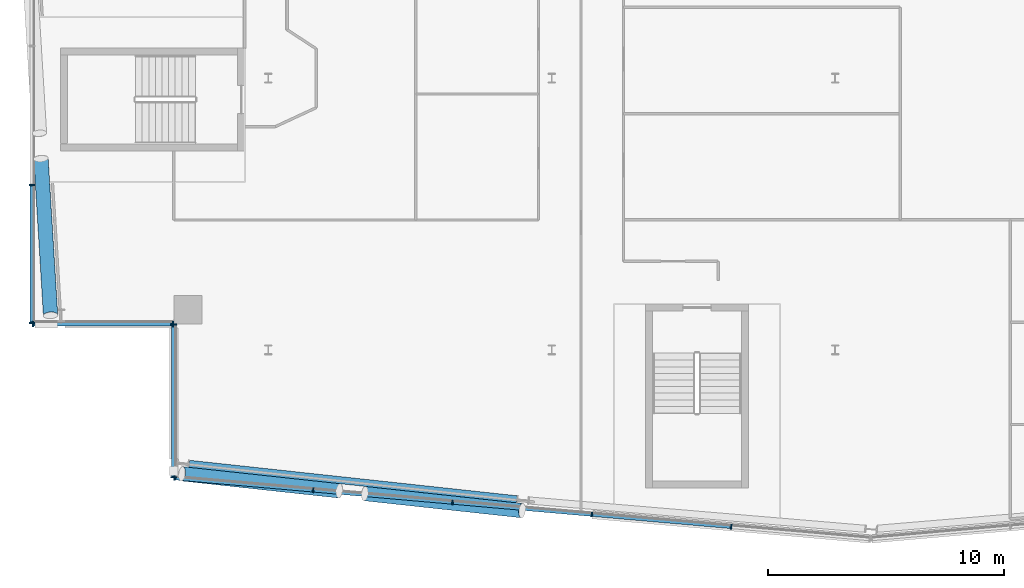
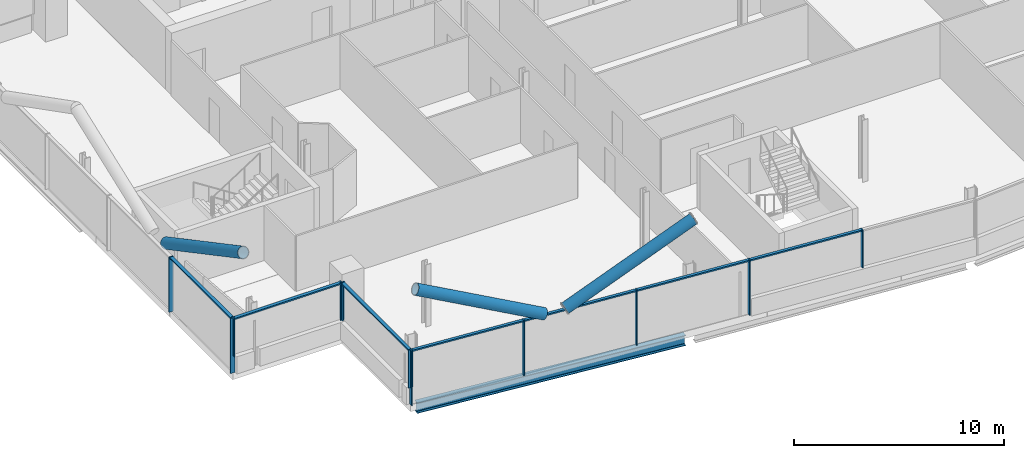
# One storey, part 5 of 27: 21 members, 1 beam, 4 elements without a shape of their own.
"""IFC4 building model written with IfcOpenShell, lengths in metres."""

import ifcopenshell
import ifcopenshell.guid

model = None  # the IFC model being written
_history = None  # IfcOwnerHistory: only IFC2X3 demands one
_inside = {}  # id of a spatial element -> (the spatial element, [elements in it])
_under = {}  # id of a project, library or spatial element -> (it, [spatial elements below it])
_declared = {}  # id of a project -> (the project, [libraries it declares])
_typed = {}  # id of a type object -> (the type object, [elements of that type])
_made_of = {}  # id of a material, layer set ... -> (it, [elements and type objects made of it])


def new_model(schema):
    """Start an empty IFC model of exactly this schema.

    Asked for "IFC4X3", IfcOpenShell would pick the latest addendum, in which some entities
    have other attributes; the version numbers below select the first issue.
    IFC2X3 requires an IfcOwnerHistory on every rooted entity: one is made here for all.
    """
    global model, _history
    if schema == "IFC4X3":
        model = ifcopenshell.file(schema_version=(4, 3, 0, 0))
    else:
        model = ifcopenshell.file(schema=schema)
    _inside.clear()
    _under.clear()
    _declared.clear()
    _typed.clear()
    _made_of.clear()
    _history = None
    if model.schema == "IFC2X3":
        org = make("IfcOrganization", Name="unknown")
        user = make(
            "IfcPersonAndOrganization",
            ThePerson=make("IfcPerson", FamilyName="unknown"),
            TheOrganization=org,
        )
        app = make(
            "IfcApplication",
            ApplicationDeveloper=org,
            Version="unknown",
            ApplicationFullName="unknown",
            ApplicationIdentifier="unknown",
        )
        _history = make(
            "IfcOwnerHistory",
            OwningUser=user,
            OwningApplication=app,
            ChangeAction="ADDED",
            CreationDate=0,
        )
    return model


def make(cls, **values):
    """One entity of the class cls with the attributes given. An attribute that is None is left unset."""
    return model.create_entity(
        cls, **{name: value for name, value in values.items() if value is not None}
    )


def rooted(cls, **values):
    """An entity with a GlobalId (a new one), such as an element, a storey or a relation."""
    return make(cls, GlobalId=ifcopenshell.guid.new(), OwnerHistory=_history, **values)


def si_unit(unit_type, name, prefix=None):
    """IfcSIUnit, for example si_unit("LENGTHUNIT", "METRE", prefix="MILLI")."""
    return make("IfcSIUnit", UnitType=unit_type, Prefix=prefix, Name=name)


def assignment(units):
    """IfcUnitAssignment: the units of a project."""
    return None if units is None else make("IfcUnitAssignment", Units=units)


def point(xyz):
    """IfcCartesianPoint."""
    return None if xyz is None else make("IfcCartesianPoint", Coordinates=xyz)


def direction(xyz):
    """IfcDirection."""
    return None if xyz is None else make("IfcDirection", DirectionRatios=xyz)


def frame(location, z_axis=None, x_axis=None):
    """IfcAxis2Placement3D, a coordinate frame: its origin and axes. An axis left out is left unset."""
    return make(
        "IfcAxis2Placement3D",
        Location=point(location),
        Axis=direction(z_axis),
        RefDirection=direction(x_axis),
    )


def frame_2d(location, x_axis=None):
    """IfcAxis2Placement2D, a coordinate frame in the plane: its origin and x axis."""
    return make(
        "IfcAxis2Placement2D", Location=point(location), RefDirection=direction(x_axis)
    )


def origin():
    """The frame at (0, 0, 0) with its axes left unset."""
    return frame((0.0, 0.0, 0.0))


def origin_2d():
    """The frame at (0, 0) in the plane with its x axis left unset."""
    return frame_2d((0.0, 0.0))


def place(relative_to, where):
    """IfcLocalPlacement: puts the frame where relative to a parent placement (None: the world)."""
    return make(
        "IfcLocalPlacement", PlacementRelTo=relative_to, RelativePlacement=where
    )


def context(
    kind, dimensions, precision=None, world=None, true_north=None, identifier=None
):
    """IfcGeometricRepresentationContext, for example the 3D "Model" context."""
    return make(
        "IfcGeometricRepresentationContext",
        ContextIdentifier=identifier,
        ContextType=kind,
        CoordinateSpaceDimension=dimensions,
        Precision=precision,
        WorldCoordinateSystem=world,
        TrueNorth=true_north,
    )


def subcontext(parent, identifier, kind, view, scale=None):
    """IfcGeometricRepresentationSubContext, for example "Body" below "Model"."""
    return make(
        "IfcGeometricRepresentationSubContext",
        ContextIdentifier=identifier,
        ContextType=kind,
        ParentContext=parent,
        TargetScale=scale,
        TargetView=view,
    )


def project(units=None, contexts=None):
    """IfcProject with its units and contexts."""
    return rooted(
        "IfcProject",
        Name="project",
        RepresentationContexts=contexts,
        UnitsInContext=assignment(units),
    )


def spatial(cls, under=None, at=None, **own):
    """A site, building, storey or space (cls), placed at a placement, below another one or the project."""
    s = rooted(cls, ObjectPlacement=at, **own)
    if under is not None:
        _under.setdefault(under.id(), (under, []))[1].append(s)
    return s


def profile(cls, at=None, kind="AREA", **sizes):
    """A parametric profile (cls). Its sizes go by their IFC names, for example OverallWidth=200.0."""
    return make(cls, ProfileType=kind, Position=at, **sizes)


def rectangle(**sizes):
    """IfcRectangleProfileDef."""
    return profile("IfcRectangleProfileDef", **sizes)


def hollow_circle(**sizes):
    """IfcCircleHollowProfileDef."""
    return profile("IfcCircleHollowProfileDef", **sizes)


def i_section(**sizes):
    """IfcIShapeProfileDef."""
    return profile("IfcIShapeProfileDef", **sizes)


def extrude(swept, where, along, depth):
    """IfcExtrudedAreaSolid: the profile swept, set in the frame where, extruded along a direction by depth."""
    return make(
        "IfcExtrudedAreaSolid",
        SweptArea=swept,
        Position=where,
        ExtrudedDirection=direction(along),
        Depth=depth,
    )


def shape(context_of_items, identifier, shape_type, items):
    """IfcShapeRepresentation: the items that make up one representation, for example the "Body"."""
    return make(
        "IfcShapeRepresentation",
        ContextOfItems=context_of_items,
        RepresentationIdentifier=identifier,
        RepresentationType=shape_type,
        Items=items,
    )


def material(Name=None, Category=None):
    """IfcMaterial."""
    return make("IfcMaterial", Name=Name, Category=Category)


def material_profile(
    of_material, cross_section, Name=None, Category=None, Priority=None
):
    """IfcMaterialProfile: a cross section and its material."""
    return make(
        "IfcMaterialProfile",
        Name=Name,
        Material=of_material,
        Profile=cross_section,
        Priority=Priority,
        Category=Category,
    )


def profile_set(profiles, Name=None, composite=None):
    """IfcMaterialProfileSet."""
    return make(
        "IfcMaterialProfileSet",
        Name=Name,
        MaterialProfiles=profiles,
        CompositeProfile=composite,
    )


def made_of(thing, what):
    """Note that an element or type object is made of a material, layer set ...; save() writes the relation."""
    if what is not None:
        _made_of.setdefault(what.id(), (what, []))[1].append(thing)
    return thing


def type_object(cls, material=None, **own):
    """A type object (cls), such as IfcWallType, which elements share."""
    return made_of(rooted(cls, **own), material)


def element(
    cls,
    number,
    at=None,
    inside=None,
    cuts=None,
    type_object=None,
    material=None,
    context=None,
    identifier="Body",
    shape_type=None,
    held_by="IfcProductDefinitionShape",
    body=None,
    shapes=None,
    **own,
):
    """One element of the class cls, such as IfcWall. Its Tag is "e" and its number.

    at: its placement. inside: the storey or other place that contains it. cuts: it is an
    opening in that element (IfcRelVoidsElement). A single representation is given by context,
    identifier, shape_type and body (its items); several are given by shapes. held_by: the class
    of the entity that holds the representations. save() writes the other relations.
    """
    e = rooted(cls, Tag="e%d" % number, ObjectPlacement=at, **own)
    if body is not None:
        shapes = [shape(context, identifier, shape_type, body)]
    if shapes is not None:
        e.Representation = make(held_by, Representations=shapes)
    if inside is not None:
        _inside.setdefault(inside.id(), (inside, []))[1].append(e)
    if cuts is not None:
        rooted(
            "IfcRelVoidsElement", RelatingBuildingElement=cuts, RelatedOpeningElement=e
        )
    if type_object is not None:
        _typed.setdefault(type_object.id(), (type_object, []))[1].append(e)
    return made_of(e, material)


def aggregate(whole, parts):
    """IfcRelAggregates: a whole, such as a stair, and the parts it consists of."""
    return rooted("IfcRelAggregates", RelatingObject=whole, RelatedObjects=parts)


def save(model, path):
    """Write the relations noted so far, then the file.

    IfcRelAggregates (storeys below a building ...), IfcRelContainedInSpatialStructure (elements
    in a storey), IfcRelDefinesByType, IfcRelAssociatesMaterial and IfcRelDeclares: one each for
    every whole, place, type object, material and project.
    """
    for whole, parts in _under.values():
        aggregate(whole, parts)
    for where, things in _inside.values():
        rooted(
            "IfcRelContainedInSpatialStructure",
            RelatedElements=things,
            RelatingStructure=where,
        )
    for kind, things in _typed.values():
        rooted("IfcRelDefinesByType", RelatedObjects=things, RelatingType=kind)
    for what, things in _made_of.values():
        rooted("IfcRelAssociatesMaterial", RelatedObjects=things, RelatingMaterial=what)
    for by, libraries in _declared.values():
        rooted("IfcRelDeclares", RelatingContext=by, RelatedDefinitions=libraries)
    model.write(path)


model = new_model("IFC4")

# Units and contexts
model_context = context("Model", 3, precision=1e-05, world=origin(), true_north=direction((0.0, 1.0)))
body_context = subcontext(model_context, "Body", "Model", "MODEL_VIEW")
ifc_project = project(units=[si_unit("LENGTHUNIT", "METRE"), si_unit("AREAUNIT", "SQUARE_METRE"), si_unit("VOLUMEUNIT", "CUBIC_METRE"), si_unit("PLANEANGLEUNIT", "RADIAN"), si_unit("MASSUNIT", "GRAM", prefix="KILO")], contexts=[model_context])

# Site, building, storey
site_placement = place(None, origin())
site = spatial("IfcSite", under=ifc_project, at=site_placement, CompositionType="ELEMENT")
building_placement = place(site_placement, origin())
building = spatial("IfcBuilding", under=site, at=building_placement, Name="Wharfspan Tower", CompositionType="ELEMENT")
storey_placement = place(building_placement, frame((0.0, 0.0, 221.5)))
storey = spatial("IfcBuildingStorey", under=building, at=storey_placement, Name="L55", CompositionType="ELEMENT", Elevation=221.5)

# Beam
ifc_material_1 = material(Name="Steel S355J2", Category="steel")
ifc_material_profile_1 = material_profile(ifc_material_1, i_section(OverallWidth=0.300049, OverallDepth=0.600098, WebThickness=0.015381, FlangeThickness=0.030029, FilletRadius=0.0271, at=origin_2d()))
ifc_profile_set_1 = profile_set([ifc_material_profile_1], Name="Steel S355J2")
beam_type = type_object("IfcBeamType", Name="Edge beam HEB 600", PredefinedType="SPANDREL", material=ifc_profile_set_1)
beam_placement = place(storey_placement, frame((20.648682, 6.674805, -0.699951), z_axis=(0.99418, -0.107732, 0.0), x_axis=(0.107732, 0.99418, 0.0)))
element("IfcBeam", 1, at=beam_placement, inside=storey, type_object=beam_type, Name="Edge beam S1 L55 PS1.1 to PS1.2", PredefinedType="SPANDREL", context=body_context, shape_type="SweptSolid", body=[
    extrude(i_section(OverallWidth=0.300049, OverallDepth=0.600098, WebThickness=0.015381, FlangeThickness=0.030029, FilletRadius=0.0271, at=origin_2d()), origin(), (0.0, 0.0, 1.0), 13.95752),
])

# Curtain wall, members
ifc_material_2 = material(Name="Aluminium 6063-T6", Category="aluminium")
curtain_wall_type_1 = type_object("IfcCurtainWallType", Name="CURTAIN WALL FACETED FRONT", PredefinedType="NOTDEFINED", material=ifc_material_2)
curtain_wall_1_placement = place(storey_placement, origin())
curtain_wall_1 = element("IfcCurtainWall", 2, at=curtain_wall_1_placement, inside=storey, type_object=curtain_wall_type_1, Name="Curtain wall S1", PredefinedType="NOTDEFINED")
ifc_material_profile_2 = material_profile(ifc_material_2, rectangle(XDim=0.199951, YDim=0.060059, at=origin_2d()))
ifc_profile_set_2 = profile_set([ifc_material_profile_2], Name="Aluminium 6063-T6")
member_type_1 = type_object("IfcMemberType", Name="MULLION FACETED FRONT 60x200", PredefinedType="MULLION", material=ifc_profile_set_2)
member_1_placement = place(storey_placement, frame((20.029785, 6.07251, 0.0), z_axis=(0.0, 0.0, 1.0), x_axis=(0.087156, 0.996197, 0.0)))
member_1 = element("IfcMember", 3, at=member_1_placement, type_object=member_type_1, Name="Curtain wall S1 mullion 1", PredefinedType="MULLION", context=body_context, shape_type="SweptSolid", body=[
    extrude(rectangle(XDim=0.199951, YDim=0.060059, at=origin_2d()), origin(), (0.0, 0.0, 1.0), 3.199951),
])
member_2_placement = place(storey_placement, frame((25.899902, 5.558838, 0.0), z_axis=(0.0, 0.0, 1.0), x_axis=(0.087156, 0.996197, 0.0)))
member_2 = element("IfcMember", 4, at=member_2_placement, type_object=member_type_1, Name="Curtain wall S1 mullion 2", PredefinedType="MULLION", context=body_context, shape_type="SweptSolid", body=[
    extrude(rectangle(XDim=0.199951, YDim=0.060059, at=origin_2d()), origin(), (0.0, 0.0, 1.0), 3.199951),
])
member_3_placement = place(storey_placement, frame((31.800049, 5.042725, 0.0), z_axis=(0.0, 0.0, 1.0), x_axis=(0.087156, 0.996197, 0.0)))
member_3 = element("IfcMember", 5, at=member_3_placement, type_object=member_type_1, Name="Curtain wall S1 mullion 3", PredefinedType="MULLION", context=body_context, shape_type="SweptSolid", body=[
    extrude(rectangle(XDim=0.199951, YDim=0.060059, at=origin_2d()), origin(), (0.0, 0.0, 1.0), 3.199951),
])
member_4_placement = place(storey_placement, frame((37.699951, 4.526611, 0.0), z_axis=(0.0, 0.0, 1.0), x_axis=(0.087156, 0.996197, 0.0)))
member_4 = element("IfcMember", 6, at=member_4_placement, type_object=member_type_1, Name="Curtain wall S1 mullion 4", PredefinedType="MULLION", context=body_context, shape_type="SweptSolid", body=[
    extrude(rectangle(XDim=0.199951, YDim=0.060059, at=origin_2d()), origin(), (0.0, 0.0, 1.0), 3.199951),
])
member_5_placement = place(storey_placement, frame((43.600098, 4.010254, 1.0), z_axis=(0.0, 0.0, 1.0), x_axis=(0.087156, 0.996197, 0.0)))
member_5 = element("IfcMember", 7, at=member_5_placement, type_object=member_type_1, Name="Curtain wall S1 mullion 5", PredefinedType="MULLION", context=body_context, shape_type="SweptSolid", body=[
    extrude(rectangle(XDim=0.199951, YDim=0.060059, at=origin_2d()), origin(), (0.0, 0.0, 1.0), 2.199951),
])

curtain_wall_type_2 = type_object("IfcCurtainWallType", Name="CURTAIN WALL PROW AND END", PredefinedType="NOTDEFINED", material=ifc_material_2)
curtain_wall_2_placement = place(storey_placement, origin())
curtain_wall_2 = element("IfcCurtainWall", 8, at=curtain_wall_2_placement, inside=storey, type_object=curtain_wall_type_2, Name="Curtain wall W", PredefinedType="NOTDEFINED")
ifc_material_profile_3 = material_profile(ifc_material_2, rectangle(XDim=0.23999, YDim=0.060059, at=origin_2d()))
ifc_profile_set_3 = profile_set([ifc_material_profile_3], Name="Aluminium 6063-T6")
member_type_2 = type_object("IfcMemberType", Name="MULLION PROW AND END 60x240", PredefinedType="MULLION", material=ifc_profile_set_3)
member_6_placement = place(storey_placement, frame((14.0, 18.47998, 0.0), z_axis=(0.0, 0.0, 1.0), x_axis=(1.0, 0.0, 0.0)))
member_6 = element("IfcMember", 9, at=member_6_placement, type_object=member_type_2, Name="Curtain wall W mullion 5", PredefinedType="MULLION", context=body_context, shape_type="SweptSolid", body=[
    extrude(rectangle(XDim=0.23999, YDim=0.060059, at=origin_2d()), origin(), (0.0, 0.0, 1.0), 3.199951),
])
member_7_placement = place(storey_placement, frame((14.0, 12.629883, 0.0), z_axis=(0.0, 0.0, 1.0), x_axis=(1.0, 0.0, 0.0)))
member_7 = element("IfcMember", 10, at=member_7_placement, type_object=member_type_2, Name="Curtain wall W mullion 6", PredefinedType="MULLION", context=body_context, shape_type="SweptSolid", body=[
    extrude(rectangle(XDim=0.23999, YDim=0.060059, at=origin_2d()), origin(), (0.0, 0.0, 1.0), 3.199951),
])

curtain_wall_3_placement = place(storey_placement, origin())
curtain_wall_3 = element("IfcCurtainWall", 11, at=curtain_wall_3_placement, inside=storey, type_object=curtain_wall_type_2, Name="Curtain wall NFW-H", PredefinedType="NOTDEFINED")
member_8_placement = place(storey_placement, frame((14.030029, 12.600098, 1.0), z_axis=(0.0, 0.0, 1.0), x_axis=(0.0, 1.0, 0.0)))
member_8 = element("IfcMember", 12, at=member_8_placement, type_object=member_type_2, Name="Curtain wall NFW-H mullion 1", PredefinedType="MULLION", context=body_context, shape_type="SweptSolid", body=[
    extrude(rectangle(XDim=0.23999, YDim=0.060059, at=origin_2d()), origin(), (0.0, 0.0, 1.0), 2.199951),
])
member_9_placement = place(storey_placement, frame((19.969971, 12.600098, 1.0), z_axis=(0.0, 0.0, 1.0), x_axis=(0.0, 1.0, 0.0)))
member_9 = element("IfcMember", 13, at=member_9_placement, type_object=member_type_2, Name="Curtain wall NFW-H mullion 2", PredefinedType="MULLION", context=body_context, shape_type="SweptSolid", body=[
    extrude(rectangle(XDim=0.23999, YDim=0.060059, at=origin_2d()), origin(), (0.0, 0.0, 1.0), 2.199951),
])

curtain_wall_4_placement = place(storey_placement, origin())
curtain_wall_4 = element("IfcCurtainWall", 14, at=curtain_wall_4_placement, inside=storey, type_object=curtain_wall_type_2, Name="Curtain wall NFW-V", PredefinedType="NOTDEFINED")
member_10_placement = place(storey_placement, frame((20.0, 12.570068, 1.0), z_axis=(0.0, 0.0, 1.0), x_axis=(1.0, 0.0, 0.0)))
member_10 = element("IfcMember", 15, at=member_10_placement, type_object=member_type_2, Name="Curtain wall NFW-V mullion 1", PredefinedType="MULLION", context=body_context, shape_type="SweptSolid", body=[
    extrude(rectangle(XDim=0.23999, YDim=0.060059, at=origin_2d()), origin(), (0.0, 0.0, 1.0), 2.199951),
])
member_11_placement = place(storey_placement, frame((20.0, 6.10498, 1.0), z_axis=(0.0, 0.0, 1.0), x_axis=(1.0, 0.0, 0.0)))
member_11 = element("IfcMember", 16, at=member_11_placement, type_object=member_type_2, Name="Curtain wall NFW-V mullion 2", PredefinedType="MULLION", context=body_context, shape_type="SweptSolid", body=[
    extrude(rectangle(XDim=0.23999, YDim=0.060059, at=origin_2d()), origin(), (0.0, 0.0, 1.0), 2.199951),
])

# Members
ifc_material_3 = material(Name="Steel S460NH", Category="steel")
ifc_material_profile_4 = material_profile(ifc_material_3, hollow_circle(Radius=0.304932, WallThickness=0.024902, at=origin_2d()))
ifc_profile_set_4 = profile_set([ifc_material_profile_4], Name="Steel S460NH")
member_type_3 = type_object("IfcMemberType", Name="Mega brace CHS 610x25", PredefinedType="BRACE", material=ifc_profile_set_4)
for number, where, z_axis, x_axis, name in (
    (17, (28.088867, 5.410889, 3.171143), (0.890126, -0.09646, 0.445389), (0.107737, 0.99418, -2e-06), "Mega brace S1 L55 part 2"),
    (18, (27.005371, 5.52832, 3.171143), (-0.890126, 0.09646, 0.445389), (-0.107737, -0.99418, -2e-06), "Mega brace S1 L55 part 4"),
):
    element("IfcMember", number, at=place(storey_placement, frame(where, z_axis=z_axis, x_axis=x_axis)), inside=storey, type_object=member_type_3, Name=name, PredefinedType="BRACE", context=body_context, shape_type="SweptSolid", body=[
        extrude(hollow_circle(Radius=0.304932, WallThickness=0.024902, at=origin_2d()), origin(), (0.0, 0.0, 1.0), 7.474121),
    ])
member_12_placement = place(storey_placement, frame((14.376953, 19.592773, 3.170654), z_axis=(0.054615, -0.892302, 0.448123), x_axis=(0.998132, 0.061091, -3e-06)))
element("IfcMember", 19, at=member_12_placement, inside=storey, type_object=member_type_3, Name="Mega brace W4 L55 part 2", PredefinedType="BRACE", context=body_context, shape_type="SweptSolid", body=[
    extrude(hollow_circle(Radius=0.304932, WallThickness=0.024902, at=origin_2d()), origin(), (0.0, 0.0, 1.0), 7.429443),
])

# Member
ifc_material_profile_5 = material_profile(ifc_material_2, rectangle(XDim=0.159912, YDim=0.080078, at=origin_2d()))
ifc_profile_set_5 = profile_set([ifc_material_profile_5], Name="Aluminium 6063-T6")
member_type_4 = type_object("IfcMemberType", Name="TRANSOM FACETED FRONT 80x160", PredefinedType="USERDEFINED", material=ifc_profile_set_5)
member_13_placement = place(storey_placement, frame((20.059814, 6.069824, 3.159912), z_axis=(0.996195, -0.08715, 0.0), x_axis=(0.08715, 0.996195, 0.0)))
member_13 = element("IfcMember", 20, at=member_13_placement, type_object=member_type_4, Name="Curtain wall S1 transom 1", ObjectType="TRANSOM", PredefinedType="USERDEFINED", context=body_context, shape_type="SweptSolid", body=[
    extrude(rectangle(XDim=0.159912, YDim=0.080078, at=origin_2d()), origin(), (0.0, 0.0, 1.0), 5.83252),
])

member_14_placement = place(storey_placement, frame((25.929932, 5.556152, 3.159912), z_axis=(0.996198, -0.087122, 0.0), x_axis=(0.087122, 0.996198, 0.0)))
member_14 = element("IfcMember", 21, at=member_14_placement, type_object=member_type_4, Name="Curtain wall S1 transom 2", ObjectType="TRANSOM", PredefinedType="USERDEFINED", context=body_context, shape_type="SweptSolid", body=[
    extrude(rectangle(XDim=0.159912, YDim=0.080078, at=origin_2d()), origin(), (0.0, 0.0, 1.0), 5.862305),
])

member_15_placement = place(storey_placement, frame((31.829834, 5.040039, 3.159912), z_axis=(0.996194, -0.08716, 0.0), x_axis=(0.08716, 0.996194, 0.0)))
member_15 = element("IfcMember", 22, at=member_15_placement, type_object=member_type_4, Name="Curtain wall S1 transom 3", ObjectType="TRANSOM", PredefinedType="USERDEFINED", context=body_context, shape_type="SweptSolid", body=[
    extrude(rectangle(XDim=0.159912, YDim=0.080078, at=origin_2d()), origin(), (0.0, 0.0, 1.0), 5.862549),
])

member_16_placement = place(storey_placement, frame((37.72998, 4.523926, 3.159912), z_axis=(0.996194, -0.087163, 0.0), x_axis=(0.087163, 0.996194, 0.0)))
member_16 = element("IfcMember", 23, at=member_16_placement, type_object=member_type_4, Name="Curtain wall S1 transom 4", ObjectType="TRANSOM", PredefinedType="USERDEFINED", context=body_context, shape_type="SweptSolid", body=[
    extrude(rectangle(XDim=0.159912, YDim=0.080078, at=origin_2d()), origin(), (0.0, 0.0, 1.0), 5.862305),
])

aggregate(curtain_wall_1, [member_1, member_2, member_3, member_4, member_5, member_13, member_14, member_15, member_16])

ifc_material_profile_6 = material_profile(ifc_material_2, rectangle(XDim=0.179932, YDim=0.080078, at=origin_2d()))
ifc_profile_set_6 = profile_set([ifc_material_profile_6], Name="Aluminium 6063-T6")
member_type_5 = type_object("IfcMemberType", Name="TRANSOM PROW AND END 80x180", PredefinedType="USERDEFINED", material=ifc_profile_set_6)
member_17_placement = place(storey_placement, frame((14.0, 18.449951, 3.159912), z_axis=(0.0, -1.0, 0.0), x_axis=(1.0, 0.0, 0.0)))
member_17 = element("IfcMember", 24, at=member_17_placement, type_object=member_type_5, Name="Curtain wall W transom 5", ObjectType="TRANSOM", PredefinedType="USERDEFINED", context=body_context, shape_type="SweptSolid", body=[
    extrude(rectangle(XDim=0.179932, YDim=0.080078, at=origin_2d()), origin(), (0.0, 0.0, 1.0), 5.790039),
])

aggregate(curtain_wall_2, [member_6, member_7, member_17])

member_18_placement = place(storey_placement, frame((14.060059, 12.600098, 3.159912), z_axis=(1.0, 0.0, 0.0), x_axis=(0.0, 1.0, 0.0)))
member_18 = element("IfcMember", 25, at=member_18_placement, type_object=member_type_5, Name="Curtain wall NFW-H transom 1", ObjectType="TRANSOM", PredefinedType="USERDEFINED", context=body_context, shape_type="SweptSolid", body=[
    extrude(rectangle(XDim=0.179932, YDim=0.080078, at=origin_2d()), origin(), (0.0, 0.0, 1.0), 5.879883),
])

aggregate(curtain_wall_3, [member_8, member_9, member_18])

member_19_placement = place(storey_placement, frame((20.0, 12.540039, 3.159912), z_axis=(0.0, -1.0, 0.0), x_axis=(1.0, 0.0, 0.0)))
member_19 = element("IfcMember", 26, at=member_19_placement, type_object=member_type_5, Name="Curtain wall NFW-V transom 1", ObjectType="TRANSOM", PredefinedType="USERDEFINED", context=body_context, shape_type="SweptSolid", body=[
    extrude(rectangle(XDim=0.179932, YDim=0.080078, at=origin_2d()), origin(), (0.0, 0.0, 1.0), 6.405029),
])

aggregate(curtain_wall_4, [member_10, member_11, member_19])

save(model, "model.ifc")
